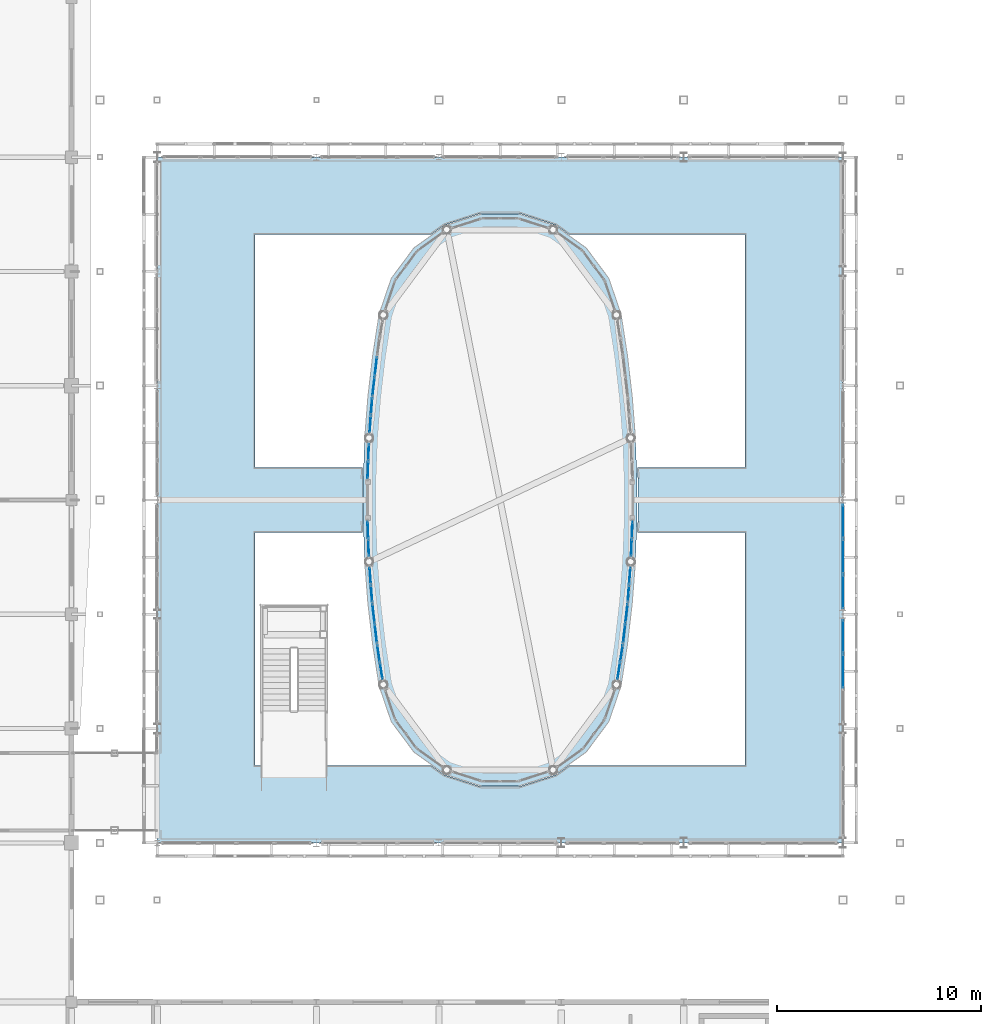
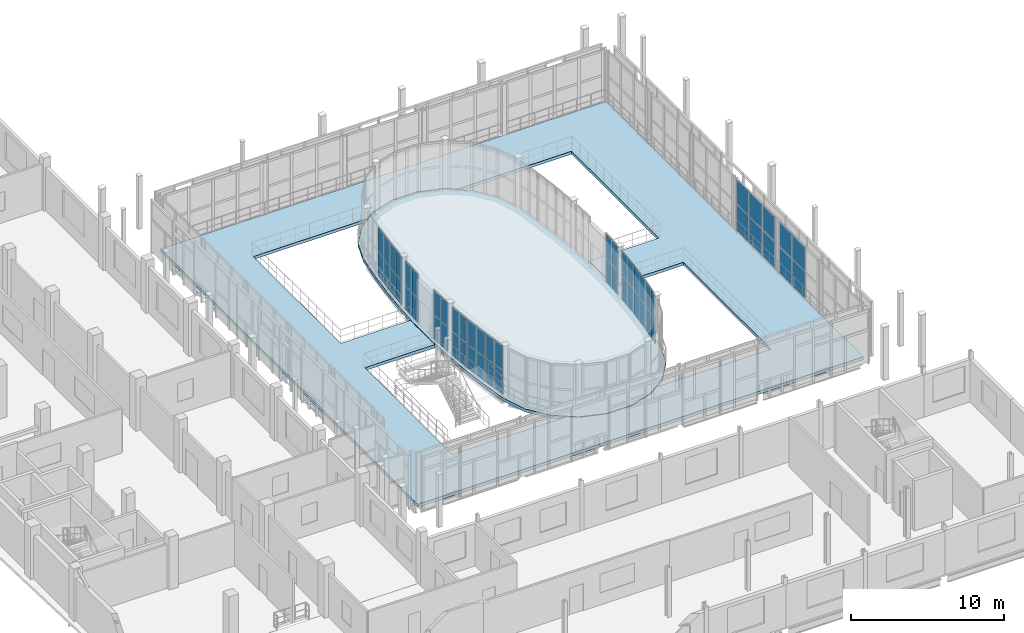
# One storey, part 82 of 121: 54 plates, 2 slabs, 13 elements without a shape of their own.
"""IFC4 building model written with IfcOpenShell, lengths in metres."""

from ifc_helpers import new_model, si_unit, direction, frame, origin, origin_2d, place, context, subcontext, project, spatial, polyline, rectangle, outline, extrude, material, layer, layer_set, type_object, element, aggregate, save


model = new_model("IFC4")

# Units and contexts
model_context = context("Model", 3, precision=1e-05, world=origin(), true_north=direction((0.0, 1.0)))
body_context = subcontext(model_context, "Body", "Model", "MODEL_VIEW")
ifc_project = project(units=[si_unit("LENGTHUNIT", "METRE"), si_unit("AREAUNIT", "SQUARE_METRE"), si_unit("VOLUMEUNIT", "CUBIC_METRE"), si_unit("PLANEANGLEUNIT", "RADIAN"), si_unit("MASSUNIT", "GRAM", prefix="KILO")], contexts=[model_context])

# Site, building, storey
site_placement = place(None, origin())
site = spatial("IfcSite", under=ifc_project, at=site_placement, CompositionType="ELEMENT")
building_placement = place(site_placement, origin())
building = spatial("IfcBuilding", under=site, at=building_placement, Name="Vinh Khe Railworks Police Headquarters", CompositionType="ELEMENT")
storey_placement = place(building_placement, frame((0.0, 0.0, 4.800048828125)))
storey = spatial("IfcBuildingStorey", under=building, at=storey_placement, Name="L01", CompositionType="ELEMENT", Elevation=4.800048828125)

# Curtain wall, plates
ifc_material_1 = material(Name="Anodised aluminium and acoustic laminated glass", Category="aluminium")
ifc_layer_1 = layer(ifc_material_1, 0.159912109375)
ifc_layer_set_1 = layer_set([ifc_layer_1], Name="Anodised aluminium and acoustic laminated glass")
curtain_wall_type_1 = type_object("IfcCurtainWallType", Name="CW-DRUM-CHORD", PredefinedType="USERDEFINED", material=ifc_layer_set_1)
curtain_wall_1_placement = place(storey_placement, origin())
curtain_wall_1 = element("IfcCurtainWall", 1, at=curtain_wall_1_placement, inside=storey, type_object=curtain_wall_type_1, Name="Elliptical Command Drum Glazing L01 Chord 1", ObjectType="DRUM FACADE GLAZING", PredefinedType="USERDEFINED")
ifc_material_2 = material(Name="Acoustic laminated solar-control glass", Category="glass")
ifc_layer_2 = layer(ifc_material_2, 0.031982421875)
ifc_layer_set_2 = layer_set([ifc_layer_2], Name="Acoustic laminated solar-control glass")
plate_type_1 = type_object("IfcPlateType", Name="PAN-DRUM-32", PredefinedType="CURTAIN_PANEL", material=ifc_layer_set_2)
plate_1_placement = place(storey_placement, frame((49.018798828125, 33.625244140625, 0.06494140625), z_axis=(0.0, 0.0, 1.0), x_axis=(0.153489573502, 0.988150267331, 0.0)))
plate_1 = element("IfcPlate", 2, at=plate_1_placement, type_object=plate_type_1, Name="CW-02 panel 1.1", PredefinedType="CURTAIN_PANEL", context=body_context, shape_type="SweptSolid", body=[
    extrude(rectangle(XDim=0.802001953125, YDim=0.031982421875, at=origin_2d()), origin(), (0.0, 0.0, 1.0), 1.887451171875),
])
plate_2_placement = place(storey_placement, frame((49.018798828125, 33.625244140625, 2.017578125), z_axis=(0.0, 0.0, 1.0), x_axis=(0.153489573502, 0.988150267331, 0.0)))
plate_2 = element("IfcPlate", 3, at=plate_2_placement, type_object=plate_type_1, Name="CW-02 panel 1.2", PredefinedType="CURTAIN_PANEL", context=body_context, shape_type="SweptSolid", body=[
    extrude(rectangle(XDim=0.802001953125, YDim=0.031982421875, at=origin_2d()), origin(), (0.0, 0.0, 1.0), 1.887451171875),
])
plate_3_placement = place(storey_placement, frame((49.15185546875, 34.48193359375, 0.06494140625), z_axis=(0.0, 0.0, 1.0), x_axis=(0.153489573502, 0.988150267331, 0.0)))
plate_3 = element("IfcPlate", 4, at=plate_3_placement, type_object=plate_type_1, Name="CW-02 panel 2.1", PredefinedType="CURTAIN_PANEL", context=body_context, shape_type="SweptSolid", body=[
    extrude(rectangle(XDim=0.802001953125, YDim=0.031982421875, at=origin_2d()), origin(), (0.0, 0.0, 1.0), 1.887451171875),
])
plate_4_placement = place(storey_placement, frame((49.15185546875, 34.48193359375, 2.017578125), z_axis=(0.0, 0.0, 1.0), x_axis=(0.153489573502, 0.988150267331, 0.0)))
plate_4 = element("IfcPlate", 5, at=plate_4_placement, type_object=plate_type_1, Name="CW-02 panel 2.2", PredefinedType="CURTAIN_PANEL", context=body_context, shape_type="SweptSolid", body=[
    extrude(rectangle(XDim=0.802001953125, YDim=0.031982421875, at=origin_2d()), origin(), (0.0, 0.0, 1.0), 1.887451171875),
])
aggregate(curtain_wall_1, [plate_1, plate_2, plate_3, plate_4])

curtain_wall_2_placement = place(storey_placement, origin())
curtain_wall_2 = element("IfcCurtainWall", 6, at=curtain_wall_2_placement, inside=storey, type_object=curtain_wall_type_1, Name="Elliptical Command Drum Glazing L01 Chord 2", ObjectType="DRUM FACADE GLAZING", PredefinedType="USERDEFINED")
plate_5_placement = place(storey_placement, frame((49.28369140625, 35.4609375, 0.06494140625), z_axis=(0.0, 0.0, 1.0), x_axis=(0.115317737498, 0.993328656296, 0.0)))
plate_5 = element("IfcPlate", 7, at=plate_5_placement, type_object=plate_type_1, Name="CW-02 panel 1.1", PredefinedType="CURTAIN_PANEL", context=body_context, shape_type="SweptSolid", body=[
    extrude(rectangle(XDim=0.913818359375, YDim=0.031982421875, at=origin_2d()), origin(), (0.0, 0.0, 1.0), 1.887451171875),
])
plate_6_placement = place(storey_placement, frame((49.28369140625, 35.4609375, 2.017578125), z_axis=(0.0, 0.0, 1.0), x_axis=(0.115317737498, 0.993328656296, 0.0)))
plate_6 = element("IfcPlate", 8, at=plate_6_placement, type_object=plate_type_1, Name="CW-02 panel 1.2", PredefinedType="CURTAIN_PANEL", context=body_context, shape_type="SweptSolid", body=[
    extrude(rectangle(XDim=0.913818359375, YDim=0.031982421875, at=origin_2d()), origin(), (0.0, 0.0, 1.0), 1.887451171875),
])
plate_7_placement = place(storey_placement, frame((49.396484375, 36.43310546875, 0.06494140625), z_axis=(0.0, 0.0, 1.0), x_axis=(0.115317737498, 0.993328656296, 0.0)))
plate_7 = element("IfcPlate", 9, at=plate_7_placement, type_object=plate_type_1, Name="CW-02 panel 2.1", PredefinedType="CURTAIN_PANEL", context=body_context, shape_type="SweptSolid", body=[
    extrude(rectangle(XDim=0.913818359375, YDim=0.031982421875, at=origin_2d()), origin(), (0.0, 0.0, 1.0), 1.887451171875),
])
plate_8_placement = place(storey_placement, frame((49.396484375, 36.43310546875, 2.017578125), z_axis=(0.0, 0.0, 1.0), x_axis=(0.115317737498, 0.993328656296, 0.0)))
plate_8 = element("IfcPlate", 10, at=plate_8_placement, type_object=plate_type_1, Name="CW-02 panel 2.2", PredefinedType="CURTAIN_PANEL", context=body_context, shape_type="SweptSolid", body=[
    extrude(rectangle(XDim=0.913818359375, YDim=0.031982421875, at=origin_2d()), origin(), (0.0, 0.0, 1.0), 1.887451171875),
])
aggregate(curtain_wall_2, [plate_5, plate_6, plate_7, plate_8])

curtain_wall_3_placement = place(storey_placement, origin())
curtain_wall_3 = element("IfcCurtainWall", 11, at=curtain_wall_3_placement, inside=storey, type_object=curtain_wall_type_1, Name="Elliptical Command Drum Glazing L01 Chord 3", ObjectType="DRUM FACADE GLAZING", PredefinedType="USERDEFINED")
plate_9_placement = place(storey_placement, frame((49.49267578125, 37.416259765625, 0.06494140625), z_axis=(0.0, 0.0, 1.0), x_axis=(0.076971908223, 0.997033261905, 0.0)))
plate_9 = element("IfcPlate", 12, at=plate_9_placement, type_object=plate_type_1, Name="CW-02 panel 1.1", PredefinedType="CURTAIN_PANEL", context=body_context, shape_type="SweptSolid", body=[
    extrude(rectangle(XDim=0.802001953125, YDim=0.031982421875, at=origin_2d()), origin(), (0.0, 0.0, 1.0), 1.887451171875),
])
plate_10_placement = place(storey_placement, frame((49.49267578125, 37.416259765625, 2.017578125), z_axis=(0.0, 0.0, 1.0), x_axis=(0.076971908223, 0.997033261905, 0.0)))
plate_10 = element("IfcPlate", 13, at=plate_10_placement, type_object=plate_type_1, Name="CW-02 panel 1.2", PredefinedType="CURTAIN_PANEL", context=body_context, shape_type="SweptSolid", body=[
    extrude(rectangle(XDim=0.802001953125, YDim=0.031982421875, at=origin_2d()), origin(), (0.0, 0.0, 1.0), 1.887451171875),
])
plate_11_placement = place(storey_placement, frame((49.559326171875, 38.28076171875, 0.06494140625), z_axis=(0.0, 0.0, 1.0), x_axis=(0.076971908223, 0.997033261905, 0.0)))
plate_11 = element("IfcPlate", 14, at=plate_11_placement, type_object=plate_type_1, Name="CW-02 panel 2.1", PredefinedType="CURTAIN_PANEL", context=body_context, shape_type="SweptSolid", body=[
    extrude(rectangle(XDim=0.802001953125, YDim=0.031982421875, at=origin_2d()), origin(), (0.0, 0.0, 1.0), 1.887451171875),
])
plate_12_placement = place(storey_placement, frame((49.559326171875, 38.28076171875, 2.017578125), z_axis=(0.0, 0.0, 1.0), x_axis=(0.076971908223, 0.997033261905, 0.0)))
plate_12 = element("IfcPlate", 15, at=plate_12_placement, type_object=plate_type_1, Name="CW-02 panel 2.2", PredefinedType="CURTAIN_PANEL", context=body_context, shape_type="SweptSolid", body=[
    extrude(rectangle(XDim=0.802001953125, YDim=0.031982421875, at=origin_2d()), origin(), (0.0, 0.0, 1.0), 1.887451171875),
])
aggregate(curtain_wall_3, [plate_9, plate_10, plate_11, plate_12])

curtain_wall_4_placement = place(storey_placement, origin())
curtain_wall_4 = element("IfcCurtainWall", 16, at=curtain_wall_4_placement, inside=storey, type_object=curtain_wall_type_1, Name="Elliptical Command Drum Glazing L01 Chord 4", ObjectType="DRUM FACADE GLAZING", PredefinedType="USERDEFINED")
plate_13_placement = place(storey_placement, frame((49.638916015625, 39.65673828125, 0.06494140625), z_axis=(0.0, 0.0, 1.0), x_axis=(0.038511887338, 0.99925814209, 0.0)))
plate_13 = element("IfcPlate", 17, at=plate_13_placement, type_object=plate_type_1, Name="CW-02 panel 1.1", PredefinedType="CURTAIN_PANEL", context=body_context, shape_type="SweptSolid", body=[
    extrude(rectangle(XDim=0.802001953125, YDim=0.031982421875, at=origin_2d()), origin(), (0.0, 0.0, 1.0), 1.887451171875),
])
plate_14_placement = place(storey_placement, frame((49.638916015625, 39.65673828125, 2.017578125), z_axis=(0.0, 0.0, 1.0), x_axis=(0.038511887338, 0.99925814209, 0.0)))
plate_14 = element("IfcPlate", 18, at=plate_14_placement, type_object=plate_type_1, Name="CW-02 panel 1.2", PredefinedType="CURTAIN_PANEL", context=body_context, shape_type="SweptSolid", body=[
    extrude(rectangle(XDim=0.802001953125, YDim=0.031982421875, at=origin_2d()), origin(), (0.0, 0.0, 1.0), 1.887451171875),
])
plate_15_placement = place(storey_placement, frame((49.67236328125, 40.523193359375, 0.06494140625), z_axis=(0.0, 0.0, 1.0), x_axis=(0.038511887338, 0.99925814209, 0.0)))
plate_15 = element("IfcPlate", 19, at=plate_15_placement, type_object=plate_type_1, Name="CW-02 panel 2.1", PredefinedType="CURTAIN_PANEL", context=body_context, shape_type="SweptSolid", body=[
    extrude(rectangle(XDim=0.802001953125, YDim=0.031982421875, at=origin_2d()), origin(), (0.0, 0.0, 1.0), 1.887451171875),
])
plate_16_placement = place(storey_placement, frame((49.67236328125, 40.523193359375, 2.017578125), z_axis=(0.0, 0.0, 1.0), x_axis=(0.038511887338, 0.99925814209, 0.0)))
plate_16 = element("IfcPlate", 20, at=plate_16_placement, type_object=plate_type_1, Name="CW-02 panel 2.2", PredefinedType="CURTAIN_PANEL", context=body_context, shape_type="SweptSolid", body=[
    extrude(rectangle(XDim=0.802001953125, YDim=0.031982421875, at=origin_2d()), origin(), (0.0, 0.0, 1.0), 1.887451171875),
])
aggregate(curtain_wall_4, [plate_13, plate_14, plate_15, plate_16])

curtain_wall_5_placement = place(storey_placement, origin())
curtain_wall_5 = element("IfcCurtainWall", 21, at=curtain_wall_5_placement, inside=storey, type_object=curtain_wall_type_1, Name="Elliptical Command Drum Glazing L01 Chord 20", ObjectType="DRUM FACADE GLAZING", PredefinedType="USERDEFINED")
plate_17_placement = place(storey_placement, frame((37.116455078125, 48.5390625, 0.06494140625), z_axis=(0.0, 0.0, 1.0), x_axis=(-0.115317737498, -0.993328656296, 0.0)))
plate_17 = element("IfcPlate", 22, at=plate_17_placement, type_object=plate_type_1, Name="CW-02 panel 1.1", PredefinedType="CURTAIN_PANEL", context=body_context, shape_type="SweptSolid", body=[
    extrude(rectangle(XDim=0.913818359375, YDim=0.031982421875, at=origin_2d()), origin(), (0.0, 0.0, 1.0), 1.887451171875),
])
plate_18_placement = place(storey_placement, frame((37.116455078125, 48.5390625, 2.017578125), z_axis=(0.0, 0.0, 1.0), x_axis=(-0.115317737498, -0.993328656296, 0.0)))
plate_18 = element("IfcPlate", 23, at=plate_18_placement, type_object=plate_type_1, Name="CW-02 panel 1.2", PredefinedType="CURTAIN_PANEL", context=body_context, shape_type="SweptSolid", body=[
    extrude(rectangle(XDim=0.913818359375, YDim=0.031982421875, at=origin_2d()), origin(), (0.0, 0.0, 1.0), 1.887451171875),
])
plate_19_placement = place(storey_placement, frame((37.00341796875, 47.56689453125, 0.06494140625), z_axis=(0.0, 0.0, 1.0), x_axis=(-0.115317737498, -0.993328656296, 0.0)))
plate_19 = element("IfcPlate", 24, at=plate_19_placement, type_object=plate_type_1, Name="CW-02 panel 2.1", PredefinedType="CURTAIN_PANEL", context=body_context, shape_type="SweptSolid", body=[
    extrude(rectangle(XDim=0.913818359375, YDim=0.031982421875, at=origin_2d()), origin(), (0.0, 0.0, 1.0), 1.887451171875),
])
plate_20_placement = place(storey_placement, frame((37.00341796875, 47.56689453125, 2.017578125), z_axis=(0.0, 0.0, 1.0), x_axis=(-0.115317737498, -0.993328656296, 0.0)))
plate_20 = element("IfcPlate", 25, at=plate_20_placement, type_object=plate_type_1, Name="CW-02 panel 2.2", PredefinedType="CURTAIN_PANEL", context=body_context, shape_type="SweptSolid", body=[
    extrude(rectangle(XDim=0.913818359375, YDim=0.031982421875, at=origin_2d()), origin(), (0.0, 0.0, 1.0), 1.887451171875),
])
aggregate(curtain_wall_5, [plate_17, plate_18, plate_19, plate_20])

curtain_wall_6_placement = place(storey_placement, origin())
curtain_wall_6 = element("IfcCurtainWall", 26, at=curtain_wall_6_placement, inside=storey, type_object=curtain_wall_type_1, Name="Elliptical Command Drum Glazing L01 Chord 21", ObjectType="DRUM FACADE GLAZING", PredefinedType="USERDEFINED")
plate_21_placement = place(storey_placement, frame((36.907470703125, 46.583740234375, 0.06494140625), z_axis=(0.0, 0.0, 1.0), x_axis=(-0.076971908223, -0.997033261905, 0.0)))
plate_21 = element("IfcPlate", 27, at=plate_21_placement, type_object=plate_type_1, Name="CW-02 panel 1.1", PredefinedType="CURTAIN_PANEL", context=body_context, shape_type="SweptSolid", body=[
    extrude(rectangle(XDim=0.802001953125, YDim=0.031982421875, at=origin_2d()), origin(), (0.0, 0.0, 1.0), 1.887451171875),
])
plate_22_placement = place(storey_placement, frame((36.907470703125, 46.583740234375, 2.017578125), z_axis=(0.0, 0.0, 1.0), x_axis=(-0.076971908223, -0.997033261905, 0.0)))
plate_22 = element("IfcPlate", 28, at=plate_22_placement, type_object=plate_type_1, Name="CW-02 panel 1.2", PredefinedType="CURTAIN_PANEL", context=body_context, shape_type="SweptSolid", body=[
    extrude(rectangle(XDim=0.802001953125, YDim=0.031982421875, at=origin_2d()), origin(), (0.0, 0.0, 1.0), 1.887451171875),
])
plate_23_placement = place(storey_placement, frame((36.840576171875, 45.71923828125, 0.06494140625), z_axis=(0.0, 0.0, 1.0), x_axis=(-0.076971908223, -0.997033261905, 0.0)))
plate_23 = element("IfcPlate", 29, at=plate_23_placement, type_object=plate_type_1, Name="CW-02 panel 2.1", PredefinedType="CURTAIN_PANEL", context=body_context, shape_type="SweptSolid", body=[
    extrude(rectangle(XDim=0.802001953125, YDim=0.031982421875, at=origin_2d()), origin(), (0.0, 0.0, 1.0), 1.887451171875),
])
plate_24_placement = place(storey_placement, frame((36.840576171875, 45.71923828125, 2.017578125), z_axis=(0.0, 0.0, 1.0), x_axis=(-0.076971908223, -0.997033261905, 0.0)))
plate_24 = element("IfcPlate", 30, at=plate_24_placement, type_object=plate_type_1, Name="CW-02 panel 2.2", PredefinedType="CURTAIN_PANEL", context=body_context, shape_type="SweptSolid", body=[
    extrude(rectangle(XDim=0.802001953125, YDim=0.031982421875, at=origin_2d()), origin(), (0.0, 0.0, 1.0), 1.887451171875),
])
aggregate(curtain_wall_6, [plate_21, plate_22, plate_23, plate_24])

curtain_wall_7_placement = place(storey_placement, origin())
curtain_wall_7 = element("IfcCurtainWall", 31, at=curtain_wall_7_placement, inside=storey, type_object=curtain_wall_type_1, Name="Elliptical Command Drum Glazing L01 Chord 22", ObjectType="DRUM FACADE GLAZING", PredefinedType="USERDEFINED")
plate_25_placement = place(storey_placement, frame((36.760986328125, 44.34326171875, 0.06494140625), z_axis=(0.0, 0.0, 1.0), x_axis=(-0.038511887338, -0.99925814209, 0.0)))
plate_25 = element("IfcPlate", 32, at=plate_25_placement, type_object=plate_type_1, Name="CW-02 panel 1.1", PredefinedType="CURTAIN_PANEL", context=body_context, shape_type="SweptSolid", body=[
    extrude(rectangle(XDim=0.802001953125, YDim=0.031982421875, at=origin_2d()), origin(), (0.0, 0.0, 1.0), 1.887451171875),
])
plate_26_placement = place(storey_placement, frame((36.760986328125, 44.34326171875, 2.017578125), z_axis=(0.0, 0.0, 1.0), x_axis=(-0.038511887338, -0.99925814209, 0.0)))
plate_26 = element("IfcPlate", 33, at=plate_26_placement, type_object=plate_type_1, Name="CW-02 panel 1.2", PredefinedType="CURTAIN_PANEL", context=body_context, shape_type="SweptSolid", body=[
    extrude(rectangle(XDim=0.802001953125, YDim=0.031982421875, at=origin_2d()), origin(), (0.0, 0.0, 1.0), 1.887451171875),
])
plate_27_placement = place(storey_placement, frame((36.727783203125, 43.476806640625, 0.06494140625), z_axis=(0.0, 0.0, 1.0), x_axis=(-0.038511887338, -0.99925814209, 0.0)))
plate_27 = element("IfcPlate", 34, at=plate_27_placement, type_object=plate_type_1, Name="CW-02 panel 2.1", PredefinedType="CURTAIN_PANEL", context=body_context, shape_type="SweptSolid", body=[
    extrude(rectangle(XDim=0.802001953125, YDim=0.031982421875, at=origin_2d()), origin(), (0.0, 0.0, 1.0), 1.887451171875),
])
plate_28_placement = place(storey_placement, frame((36.727783203125, 43.476806640625, 2.017578125), z_axis=(0.0, 0.0, 1.0), x_axis=(-0.038511887338, -0.99925814209, 0.0)))
plate_28 = element("IfcPlate", 35, at=plate_28_placement, type_object=plate_type_1, Name="CW-02 panel 2.2", PredefinedType="CURTAIN_PANEL", context=body_context, shape_type="SweptSolid", body=[
    extrude(rectangle(XDim=0.802001953125, YDim=0.031982421875, at=origin_2d()), origin(), (0.0, 0.0, 1.0), 1.887451171875),
])
aggregate(curtain_wall_7, [plate_25, plate_26, plate_27, plate_28])

curtain_wall_8_placement = place(storey_placement, origin())
curtain_wall_8 = element("IfcCurtainWall", 36, at=curtain_wall_8_placement, inside=storey, type_object=curtain_wall_type_1, Name="Elliptical Command Drum Glazing L01 Chord 24", ObjectType="DRUM FACADE GLAZING", PredefinedType="USERDEFINED")
plate_29_placement = place(storey_placement, frame((36.727783203125, 40.523193359375, 0.06494140625), z_axis=(0.0, 0.0, 1.0), x_axis=(0.038511887338, -0.99925814209, 0.0)))
plate_29 = element("IfcPlate", 37, at=plate_29_placement, type_object=plate_type_1, Name="CW-02 panel 1.1", PredefinedType="CURTAIN_PANEL", context=body_context, shape_type="SweptSolid", body=[
    extrude(rectangle(XDim=0.802001953125, YDim=0.031982421875, at=origin_2d()), origin(), (0.0, 0.0, 1.0), 1.887451171875),
])
plate_30_placement = place(storey_placement, frame((36.727783203125, 40.523193359375, 2.017578125), z_axis=(0.0, 0.0, 1.0), x_axis=(0.038511887338, -0.99925814209, 0.0)))
plate_30 = element("IfcPlate", 38, at=plate_30_placement, type_object=plate_type_1, Name="CW-02 panel 1.2", PredefinedType="CURTAIN_PANEL", context=body_context, shape_type="SweptSolid", body=[
    extrude(rectangle(XDim=0.802001953125, YDim=0.031982421875, at=origin_2d()), origin(), (0.0, 0.0, 1.0), 1.887451171875),
])
plate_31_placement = place(storey_placement, frame((36.760986328125, 39.65673828125, 0.06494140625), z_axis=(0.0, 0.0, 1.0), x_axis=(0.038511887338, -0.99925814209, 0.0)))
plate_31 = element("IfcPlate", 39, at=plate_31_placement, type_object=plate_type_1, Name="CW-02 panel 2.1", PredefinedType="CURTAIN_PANEL", context=body_context, shape_type="SweptSolid", body=[
    extrude(rectangle(XDim=0.802001953125, YDim=0.031982421875, at=origin_2d()), origin(), (0.0, 0.0, 1.0), 1.887451171875),
])
plate_32_placement = place(storey_placement, frame((36.760986328125, 39.65673828125, 2.017578125), z_axis=(0.0, 0.0, 1.0), x_axis=(0.038511887338, -0.99925814209, 0.0)))
plate_32 = element("IfcPlate", 40, at=plate_32_placement, type_object=plate_type_1, Name="CW-02 panel 2.2", PredefinedType="CURTAIN_PANEL", context=body_context, shape_type="SweptSolid", body=[
    extrude(rectangle(XDim=0.802001953125, YDim=0.031982421875, at=origin_2d()), origin(), (0.0, 0.0, 1.0), 1.887451171875),
])
aggregate(curtain_wall_8, [plate_29, plate_30, plate_31, plate_32])

curtain_wall_9_placement = place(storey_placement, origin())
curtain_wall_9 = element("IfcCurtainWall", 41, at=curtain_wall_9_placement, inside=storey, type_object=curtain_wall_type_1, Name="Elliptical Command Drum Glazing L01 Chord 25", ObjectType="DRUM FACADE GLAZING", PredefinedType="USERDEFINED")
plate_33_placement = place(storey_placement, frame((36.840576171875, 38.28076171875, 0.06494140625), z_axis=(0.0, 0.0, 1.0), x_axis=(0.076971908223, -0.997033261905, 0.0)))
plate_33 = element("IfcPlate", 42, at=plate_33_placement, type_object=plate_type_1, Name="CW-02 panel 1.1", PredefinedType="CURTAIN_PANEL", context=body_context, shape_type="SweptSolid", body=[
    extrude(rectangle(XDim=0.802001953125, YDim=0.031982421875, at=origin_2d()), origin(), (0.0, 0.0, 1.0), 1.887451171875),
])
plate_34_placement = place(storey_placement, frame((36.840576171875, 38.28076171875, 2.017578125), z_axis=(0.0, 0.0, 1.0), x_axis=(0.076971908223, -0.997033261905, 0.0)))
plate_34 = element("IfcPlate", 43, at=plate_34_placement, type_object=plate_type_1, Name="CW-02 panel 1.2", PredefinedType="CURTAIN_PANEL", context=body_context, shape_type="SweptSolid", body=[
    extrude(rectangle(XDim=0.802001953125, YDim=0.031982421875, at=origin_2d()), origin(), (0.0, 0.0, 1.0), 1.887451171875),
])
plate_35_placement = place(storey_placement, frame((36.907470703125, 37.416259765625, 0.06494140625), z_axis=(0.0, 0.0, 1.0), x_axis=(0.076971908223, -0.997033261905, 0.0)))
plate_35 = element("IfcPlate", 44, at=plate_35_placement, type_object=plate_type_1, Name="CW-02 panel 2.1", PredefinedType="CURTAIN_PANEL", context=body_context, shape_type="SweptSolid", body=[
    extrude(rectangle(XDim=0.802001953125, YDim=0.031982421875, at=origin_2d()), origin(), (0.0, 0.0, 1.0), 1.887451171875),
])
plate_36_placement = place(storey_placement, frame((36.907470703125, 37.416259765625, 2.017578125), z_axis=(0.0, 0.0, 1.0), x_axis=(0.076971908223, -0.997033261905, 0.0)))
plate_36 = element("IfcPlate", 45, at=plate_36_placement, type_object=plate_type_1, Name="CW-02 panel 2.2", PredefinedType="CURTAIN_PANEL", context=body_context, shape_type="SweptSolid", body=[
    extrude(rectangle(XDim=0.802001953125, YDim=0.031982421875, at=origin_2d()), origin(), (0.0, 0.0, 1.0), 1.887451171875),
])
aggregate(curtain_wall_9, [plate_33, plate_34, plate_35, plate_36])

curtain_wall_10_placement = place(storey_placement, origin())
curtain_wall_10 = element("IfcCurtainWall", 46, at=curtain_wall_10_placement, inside=storey, type_object=curtain_wall_type_1, Name="Elliptical Command Drum Glazing L01 Chord 26", ObjectType="DRUM FACADE GLAZING", PredefinedType="USERDEFINED")
plate_37_placement = place(storey_placement, frame((37.00341796875, 36.43310546875, 0.06494140625), z_axis=(0.0, 0.0, 1.0), x_axis=(0.115317737498, -0.993328656296, 0.0)))
plate_37 = element("IfcPlate", 47, at=plate_37_placement, type_object=plate_type_1, Name="CW-02 panel 1.1", PredefinedType="CURTAIN_PANEL", context=body_context, shape_type="SweptSolid", body=[
    extrude(rectangle(XDim=0.913818359375, YDim=0.031982421875, at=origin_2d()), origin(), (0.0, 0.0, 1.0), 1.887451171875),
])
plate_38_placement = place(storey_placement, frame((37.00341796875, 36.43310546875, 2.017578125), z_axis=(0.0, 0.0, 1.0), x_axis=(0.115317737498, -0.993328656296, 0.0)))
plate_38 = element("IfcPlate", 48, at=plate_38_placement, type_object=plate_type_1, Name="CW-02 panel 1.2", PredefinedType="CURTAIN_PANEL", context=body_context, shape_type="SweptSolid", body=[
    extrude(rectangle(XDim=0.913818359375, YDim=0.031982421875, at=origin_2d()), origin(), (0.0, 0.0, 1.0), 1.887451171875),
])
plate_39_placement = place(storey_placement, frame((37.116455078125, 35.4609375, 0.06494140625), z_axis=(0.0, 0.0, 1.0), x_axis=(0.115317737498, -0.993328656296, 0.0)))
plate_39 = element("IfcPlate", 49, at=plate_39_placement, type_object=plate_type_1, Name="CW-02 panel 2.1", PredefinedType="CURTAIN_PANEL", context=body_context, shape_type="SweptSolid", body=[
    extrude(rectangle(XDim=0.913818359375, YDim=0.031982421875, at=origin_2d()), origin(), (0.0, 0.0, 1.0), 1.887451171875),
])
plate_40_placement = place(storey_placement, frame((37.116455078125, 35.4609375, 2.017578125), z_axis=(0.0, 0.0, 1.0), x_axis=(0.115317737498, -0.993328656296, 0.0)))
plate_40 = element("IfcPlate", 50, at=plate_40_placement, type_object=plate_type_1, Name="CW-02 panel 2.2", PredefinedType="CURTAIN_PANEL", context=body_context, shape_type="SweptSolid", body=[
    extrude(rectangle(XDim=0.913818359375, YDim=0.031982421875, at=origin_2d()), origin(), (0.0, 0.0, 1.0), 1.887451171875),
])
aggregate(curtain_wall_10, [plate_37, plate_38, plate_39, plate_40])

curtain_wall_11_placement = place(storey_placement, origin())
curtain_wall_11 = element("IfcCurtainWall", 51, at=curtain_wall_11_placement, inside=storey, type_object=curtain_wall_type_1, Name="Elliptical Command Drum Glazing L01 Chord 27", ObjectType="DRUM FACADE GLAZING", PredefinedType="USERDEFINED")
plate_41_placement = place(storey_placement, frame((37.248046875, 34.48193359375, 0.06494140625), z_axis=(0.0, 0.0, 1.0), x_axis=(0.153489573502, -0.988150267331, 0.0)))
plate_41 = element("IfcPlate", 52, at=plate_41_placement, type_object=plate_type_1, Name="CW-02 panel 1.1", PredefinedType="CURTAIN_PANEL", context=body_context, shape_type="SweptSolid", body=[
    extrude(rectangle(XDim=0.802001953125, YDim=0.031982421875, at=origin_2d()), origin(), (0.0, 0.0, 1.0), 1.887451171875),
])
plate_42_placement = place(storey_placement, frame((37.248046875, 34.48193359375, 2.017578125), z_axis=(0.0, 0.0, 1.0), x_axis=(0.153489573502, -0.988150267331, 0.0)))
plate_42 = element("IfcPlate", 53, at=plate_42_placement, type_object=plate_type_1, Name="CW-02 panel 1.2", PredefinedType="CURTAIN_PANEL", context=body_context, shape_type="SweptSolid", body=[
    extrude(rectangle(XDim=0.802001953125, YDim=0.031982421875, at=origin_2d()), origin(), (0.0, 0.0, 1.0), 1.887451171875),
])
plate_43_placement = place(storey_placement, frame((37.381103515625, 33.625244140625, 0.06494140625), z_axis=(0.0, 0.0, 1.0), x_axis=(0.153489573502, -0.988150267331, 0.0)))
plate_43 = element("IfcPlate", 54, at=plate_43_placement, type_object=plate_type_1, Name="CW-02 panel 2.1", PredefinedType="CURTAIN_PANEL", context=body_context, shape_type="SweptSolid", body=[
    extrude(rectangle(XDim=0.802001953125, YDim=0.031982421875, at=origin_2d()), origin(), (0.0, 0.0, 1.0), 1.887451171875),
])
plate_44_placement = place(storey_placement, frame((37.381103515625, 33.625244140625, 2.017578125), z_axis=(0.0, 0.0, 1.0), x_axis=(0.153489573502, -0.988150267331, 0.0)))
plate_44 = element("IfcPlate", 55, at=plate_44_placement, type_object=plate_type_1, Name="CW-02 panel 2.2", PredefinedType="CURTAIN_PANEL", context=body_context, shape_type="SweptSolid", body=[
    extrude(rectangle(XDim=0.802001953125, YDim=0.031982421875, at=origin_2d()), origin(), (0.0, 0.0, 1.0), 1.887451171875),
])
aggregate(curtain_wall_11, [plate_41, plate_42, plate_43, plate_44])

ifc_material_3 = material(Name="Anodised aluminium and low-iron glass", Category="aluminium")
ifc_layer_3 = layer(ifc_material_3, 0.179931640625)
ifc_layer_set_3 = layer_set([ifc_layer_3], Name="Anodised aluminium and low-iron glass")
curtain_wall_type_2 = type_object("IfcCurtainWallType", Name="CW-CUBE-UNIT", PredefinedType="USERDEFINED", material=ifc_layer_set_3)
curtain_wall_12_placement = place(storey_placement, origin())
curtain_wall_12 = element("IfcCurtainWall", 56, at=curtain_wall_12_placement, inside=storey, type_object=curtain_wall_type_2, Name="Entrance Hall Curtain Wall L01 E-2", ObjectType="UNITISED GLAZING", PredefinedType="USERDEFINED")
ifc_material_4 = material(Name="Low-iron laminated solar-control glass", Category="glass")
ifc_layer_4 = layer(ifc_material_4, 0.028076171875)
ifc_layer_set_4 = layer_set([ifc_layer_4], Name="Low-iron laminated solar-control glass")
plate_type_2 = type_object("IfcPlateType", Name="PAN-GLZ-28", PredefinedType="CURTAIN_PANEL", material=ifc_layer_set_4)
plate_45_placement = place(storey_placement, frame((60.0, 33.612548828125, 0.06982421875), z_axis=(0.0, 0.0, 1.0), x_axis=(0.0, 1.0, 0.0)))
plate_45 = element("IfcPlate", 57, at=plate_45_placement, type_object=plate_type_2, Name="CW-01 panel 2.1", PredefinedType="CURTAIN_PANEL", context=body_context, shape_type="SweptSolid", body=[
    extrude(rectangle(XDim=1.64501953125, YDim=0.028076171875, at=origin_2d()), origin(), (0.0, 0.0, 1.0), 2.0791015625),
])
plate_46_placement = place(storey_placement, frame((60.0, 33.612548828125, 2.21923828125), z_axis=(0.0, 0.0, 1.0), x_axis=(0.0, 1.0, 0.0)))
plate_46 = element("IfcPlate", 58, at=plate_46_placement, type_object=plate_type_2, Name="CW-01 panel 2.2", PredefinedType="CURTAIN_PANEL", context=body_context, shape_type="SweptSolid", body=[
    extrude(rectangle(XDim=1.64501953125, YDim=0.028076171875, at=origin_2d()), origin(), (0.0, 0.0, 1.0), 1.910888671875),
])
plate_47_placement = place(storey_placement, frame((60.0, 35.31005859375, 0.06982421875), z_axis=(0.0, 0.0, 1.0), x_axis=(0.0, 1.0, 0.0)))
plate_47 = element("IfcPlate", 59, at=plate_47_placement, type_object=plate_type_2, Name="CW-01 panel 3.1", PredefinedType="CURTAIN_PANEL", context=body_context, shape_type="SweptSolid", body=[
    extrude(rectangle(XDim=1.610107421875, YDim=0.028076171875, at=origin_2d()), origin(), (0.0, 0.0, 1.0), 2.0791015625),
])
plate_48_placement = place(storey_placement, frame((60.0, 35.31005859375, 2.21923828125), z_axis=(0.0, 0.0, 1.0), x_axis=(0.0, 1.0, 0.0)))
plate_48 = element("IfcPlate", 60, at=plate_48_placement, type_object=plate_type_2, Name="CW-01 panel 3.2", PredefinedType="CURTAIN_PANEL", context=body_context, shape_type="SweptSolid", body=[
    extrude(rectangle(XDim=1.610107421875, YDim=0.028076171875, at=origin_2d()), origin(), (0.0, 0.0, 1.0), 1.910888671875),
])
aggregate(curtain_wall_12, [plate_45, plate_46, plate_47, plate_48])

curtain_wall_13_placement = place(storey_placement, origin())
curtain_wall_13 = element("IfcCurtainWall", 61, at=curtain_wall_13_placement, inside=storey, type_object=curtain_wall_type_2, Name="Entrance Hall Curtain Wall L01 E-3", ObjectType="UNITISED GLAZING", PredefinedType="USERDEFINED")
plate_49_placement = place(storey_placement, frame((60.0, 37.501708984375, 0.06982421875), z_axis=(0.0, 0.0, 1.0), x_axis=(0.0, 1.0, 0.0)))
plate_49 = element("IfcPlate", 62, at=plate_49_placement, type_object=plate_type_2, Name="CW-01 panel 1.1", PredefinedType="CURTAIN_PANEL", context=body_context, shape_type="SweptSolid", body=[
    extrude(rectangle(XDim=1.63330078125, YDim=0.028076171875, at=origin_2d()), origin(), (0.0, 0.0, 1.0), 2.0791015625),
])
plate_50_placement = place(storey_placement, frame((60.0, 37.501708984375, 2.21923828125), z_axis=(0.0, 0.0, 1.0), x_axis=(0.0, 1.0, 0.0)))
plate_50 = element("IfcPlate", 63, at=plate_50_placement, type_object=plate_type_2, Name="CW-01 panel 1.2", PredefinedType="CURTAIN_PANEL", context=body_context, shape_type="SweptSolid", body=[
    extrude(rectangle(XDim=1.63330078125, YDim=0.028076171875, at=origin_2d()), origin(), (0.0, 0.0, 1.0), 1.910888671875),
])
plate_51_placement = place(storey_placement, frame((60.0, 39.222412109375, 0.06982421875), z_axis=(0.0, 0.0, 1.0), x_axis=(0.0, 1.0, 0.0)))
plate_51 = element("IfcPlate", 64, at=plate_51_placement, type_object=plate_type_2, Name="CW-01 panel 2.1", PredefinedType="CURTAIN_PANEL", context=body_context, shape_type="SweptSolid", body=[
    extrude(rectangle(XDim=1.668212890625, YDim=0.028076171875, at=origin_2d()), origin(), (0.0, 0.0, 1.0), 2.0791015625),
])
plate_52_placement = place(storey_placement, frame((60.0, 39.222412109375, 2.21923828125), z_axis=(0.0, 0.0, 1.0), x_axis=(0.0, 1.0, 0.0)))
plate_52 = element("IfcPlate", 65, at=plate_52_placement, type_object=plate_type_2, Name="CW-01 panel 2.2", PredefinedType="CURTAIN_PANEL", context=body_context, shape_type="SweptSolid", body=[
    extrude(rectangle(XDim=1.668212890625, YDim=0.028076171875, at=origin_2d()), origin(), (0.0, 0.0, 1.0), 1.910888671875),
])
plate_53_placement = place(storey_placement, frame((60.0, 40.943359375, 0.06982421875), z_axis=(0.0, 0.0, 1.0), x_axis=(0.0, 1.0, 0.0)))
plate_53 = element("IfcPlate", 66, at=plate_53_placement, type_object=plate_type_2, Name="CW-01 panel 3.1", PredefinedType="CURTAIN_PANEL", context=body_context, shape_type="SweptSolid", body=[
    extrude(rectangle(XDim=1.63330078125, YDim=0.028076171875, at=origin_2d()), origin(), (0.0, 0.0, 1.0), 2.0791015625),
])
plate_54_placement = place(storey_placement, frame((60.0, 40.943359375, 2.21923828125), z_axis=(0.0, 0.0, 1.0), x_axis=(0.0, 1.0, 0.0)))
plate_54 = element("IfcPlate", 67, at=plate_54_placement, type_object=plate_type_2, Name="CW-01 panel 3.2", PredefinedType="CURTAIN_PANEL", context=body_context, shape_type="SweptSolid", body=[
    extrude(rectangle(XDim=1.63330078125, YDim=0.028076171875, at=origin_2d()), origin(), (0.0, 0.0, 1.0), 1.910888671875),
])
aggregate(curtain_wall_13, [plate_49, plate_50, plate_51, plate_52, plate_53, plate_54])

# Slabs
ifc_material_5 = material(Name="Concrete C35/45 (B35)", Category="concrete")
ifc_layer_5 = layer(ifc_material_5, 0.239990234375)
ifc_layer_set_5 = layer_set([ifc_layer_5], Name="Concrete C35/45 (B35)")
slab_type = type_object("IfcSlabType", Name="Suspended Floor Slab 240", PredefinedType="FLOOR", material=ifc_layer_set_5)
slab_1_placement = place(storey_placement, frame((0.0, 0.0, -0.239990234375)))
element("IfcSlab", 68, at=slab_1_placement, inside=storey, type_object=slab_type, Name="V1 Floor Slab (L01)", PredefinedType="FLOOR", context=body_context, shape_type="SweptSolid", body=[
    extrude(outline(polyline([(26.39990234375, 25.199951171875), (60.0, 25.199951171875), (60.0, 58.800048828125), (26.39990234375, 58.800048828125), (26.39990234375, 25.199951171875)]), holes=[polyline([(46.583740234375, 29.0), (45.92333984375, 28.52734375), (44.1376953125, 27.954345703125), (42.26220703125, 27.954345703125), (40.476806640625, 28.52734375), (39.816162109375, 29.0), (31.199951171875, 29.0), (31.199951171875, 40.39990234375), (36.47216796875, 40.39990234375), (36.44970703125, 40.98388671875), (36.44970703125, 43.01611328125), (36.47216796875, 43.60009765625), (31.199951171875, 43.60009765625), (31.199951171875, 55.0), (39.816162109375, 55.0), (40.476806640625, 55.47265625), (42.26220703125, 56.045654296875), (44.1376953125, 56.045654296875), (45.92333984375, 55.47265625), (46.583740234375, 55.0), (55.199951171875, 55.0), (55.199951171875, 43.60009765625), (49.927734375, 43.60009765625), (49.9501953125, 43.01611328125), (49.9501953125, 40.98388671875), (49.927734375, 40.39990234375), (55.199951171875, 40.39990234375), (55.199951171875, 29.0), (46.583740234375, 29.0)])]), origin(), (0.0, 0.0, 1.0), 0.239990234375),
])
slab_2_placement = place(storey_placement, frame((0.0, 0.0, -0.239990234375)))
element("IfcSlab", 69, at=slab_2_placement, inside=storey, type_object=slab_type, Name="V2 Floor Slab (L01)", PredefinedType="FLOOR", context=body_context, shape_type="SweptSolid", body=[
    extrude(outline(polyline([(49.12744140625, 32.891357421875), (49.44140625, 34.9130859375), (49.67578125, 36.930419921875), (49.83203125, 38.955078125), (49.91015625, 40.984619140625), (49.91015625, 43.015380859375), (49.83203125, 45.044921875), (49.67578125, 47.069580078125), (49.44140625, 49.0869140625), (49.12744140625, 51.108642578125), (48.53125, 52.857421875), (47.419921875, 54.3525390625), (45.905029296875, 55.4365234375), (44.13134765625, 56.005615234375), (42.2685546875, 56.005615234375), (40.494873046875, 55.4365234375), (38.97998046875, 54.3525390625), (37.868896484375, 52.857421875), (37.2724609375, 51.108642578125), (36.95849609375, 49.0869140625), (36.724365234375, 47.069580078125), (36.56787109375, 45.044921875), (36.48974609375, 43.015380859375), (36.48974609375, 40.984619140625), (36.56787109375, 38.955078125), (36.724365234375, 36.930419921875), (36.95849609375, 34.9130859375), (37.2724609375, 32.891357421875), (37.868896484375, 31.142578125), (38.97998046875, 29.6474609375), (40.494873046875, 28.5634765625), (42.2685546875, 27.994384765625), (44.13134765625, 27.994384765625), (45.905029296875, 28.5634765625), (47.419921875, 29.6474609375), (48.53125, 31.142578125), (49.12744140625, 32.891357421875)])), origin(), (0.0, 0.0, 1.0), 0.239990234375),
])

save(model, "model.ifc")
